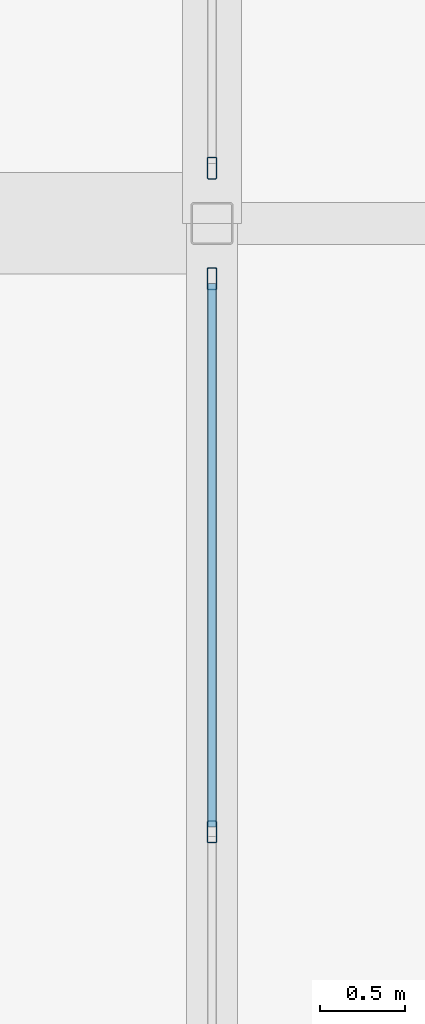
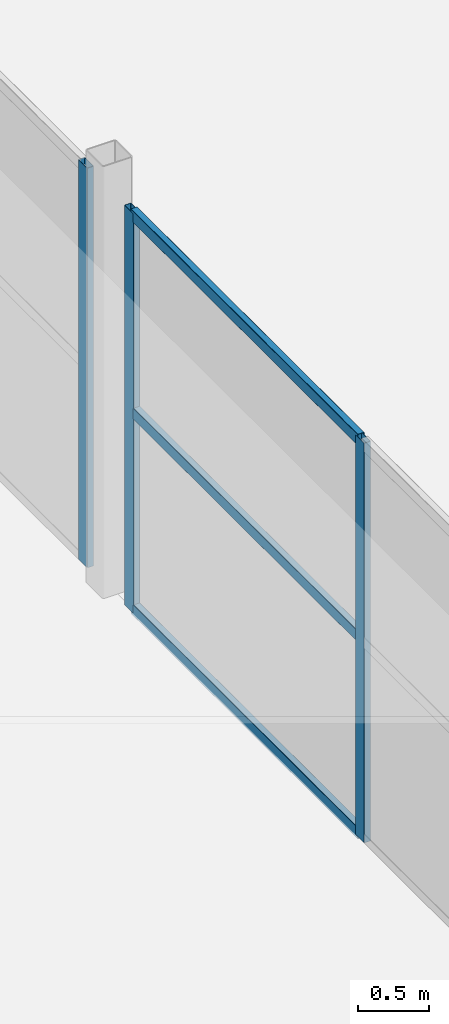
# One storey, part 160 of 239: 6 members, 2 elements without a shape of their own.
"""IFC4 building model written with IfcOpenShell, lengths in metres."""

from ifc_helpers import new_model, si_unit, direction, frame, origin, origin_2d, place, context, subcontext, project, spatial, hollow_rectangle, extrude, material, layer, layer_set, material_profile, profile_set, type_object, element, aggregate, save


model = new_model("IFC4")

# Units and contexts
model_context = context("Model", 3, precision=1e-05, world=origin(), true_north=direction((0.0, 1.0)))
body_context = subcontext(model_context, "Body", "Model", "MODEL_VIEW")
ifc_project = project(units=[si_unit("LENGTHUNIT", "METRE"), si_unit("AREAUNIT", "SQUARE_METRE"), si_unit("VOLUMEUNIT", "CUBIC_METRE"), si_unit("PLANEANGLEUNIT", "RADIAN"), si_unit("MASSUNIT", "GRAM", prefix="KILO")], contexts=[model_context])

# Site, building, storey
site_placement = place(None, origin())
site = spatial("IfcSite", under=ifc_project, at=site_placement, CompositionType="ELEMENT")
building_placement = place(site_placement, origin())
building = spatial("IfcBuilding", under=site, at=building_placement, Name="Dunvalen Ferry Terminal", CompositionType="ELEMENT")
storey_placement = place(building_placement, frame((0.0, 0.0, 9.840087890625)))
storey = spatial("IfcBuildingStorey", under=building, at=storey_placement, Name="L02", CompositionType="ELEMENT", Elevation=9.840087890625)

# Curtain wall, members
ifc_material_1 = material(Name="Anodised marine aluminium and solar-control glazing", Category="aluminium")
ifc_layer = layer(ifc_material_1, 0.159912109375, Name="Anodised marine aluminium and solar-control glazing")
ifc_layer_set = layer_set([ifc_layer], Name="Anodised marine aluminium and solar-control glazing")
curtain_wall_type = type_object("IfcCurtainWallType", Name="ENV-CW-SYS-10", PredefinedType="NOTDEFINED", material=ifc_layer_set)
curtain_wall_1_placement = place(storey_placement, origin())
curtain_wall_1 = element("IfcCurtainWall", 1, at=curtain_wall_1_placement, inside=storey, type_object=curtain_wall_type, Name="L02 Curtain Wall CW-PAV-E-1", PredefinedType="NOTDEFINED")
ifc_material_2 = material(Name="Anodised marine aluminium EN AW-6063 T6", Category="aluminium")
ifc_material_profile_1 = material_profile(ifc_material_2, hollow_rectangle(XDim=0.054931640625, YDim=0.1298828125, WallThickness=0.003173828125, InnerFilletRadius=0.003173828125, OuterFilletRadius=0.00634765625, at=origin_2d()), Name="Anodised marine aluminium EN AW-6063 T6")
ifc_profile_set_1 = profile_set([ifc_material_profile_1], Name="Anodised marine aluminium EN AW-6063 T6")
member_type_1 = type_object("IfcMemberType", Name="ENV-CW-MUL-4", PredefinedType="MULLION", material=ifc_profile_set_1)
member_1_placement = place(storey_placement, frame((156.0, 18.0, 0.0), z_axis=(0.0, 0.0, 1.0), x_axis=(-1.0, 0.0, 0.0)))
member_1 = element("IfcMember", 2, at=member_1_placement, type_object=member_type_1, Name="CW-10 mullion 2", PredefinedType="MULLION", context=body_context, shape_type="SweptSolid", body=[
    extrude(hollow_rectangle(XDim=0.054931640625, YDim=0.1298828125, WallThickness=0.003173828125, InnerFilletRadius=0.003173828125, OuterFilletRadius=0.00634765625, at=origin_2d()), origin(), (0.0, 0.0, 1.0), 3.4599609375),
])
member_2_placement = place(storey_placement, frame((156.0, 21.2724609375, 0.0), z_axis=(0.0, 0.0, 1.0), x_axis=(-1.0, 0.0, 0.0)))
member_2 = element("IfcMember", 3, at=member_2_placement, type_object=member_type_1, Name="CW-10 mullion 3", PredefinedType="MULLION", context=body_context, shape_type="SweptSolid", body=[
    extrude(hollow_rectangle(XDim=0.054931640625, YDim=0.1298828125, WallThickness=0.003173828125, InnerFilletRadius=0.003173828125, OuterFilletRadius=0.00634765625, at=origin_2d()), origin(), (0.0, 0.0, 1.0), 3.4599609375),
])

# Curtain wall, member
curtain_wall_2_placement = place(storey_placement, origin())
curtain_wall_2 = element("IfcCurtainWall", 4, at=curtain_wall_2_placement, inside=storey, type_object=curtain_wall_type, Name="L02 Curtain Wall CW-PAV-E-2", PredefinedType="NOTDEFINED")
member_3_placement = place(storey_placement, frame((156.0, 21.927490234375, 0.0), z_axis=(0.0, 0.0, 1.0), x_axis=(-1.0, 0.0, 0.0)))
member_3 = element("IfcMember", 5, at=member_3_placement, type_object=member_type_1, Name="CW-10 mullion 1", PredefinedType="MULLION", context=body_context, shape_type="SweptSolid", body=[
    extrude(hollow_rectangle(XDim=0.054931640625, YDim=0.1298828125, WallThickness=0.003173828125, InnerFilletRadius=0.003173828125, OuterFilletRadius=0.00634765625, at=origin_2d()), origin(), (0.0, 0.0, 1.0), 3.4599609375),
])
aggregate(curtain_wall_2, [member_3])

# Member
ifc_material_profile_2 = material_profile(ifc_material_2, hollow_rectangle(XDim=0.054931640625, YDim=0.10009765625, WallThickness=0.0029296875, InnerFilletRadius=0.0029296875, OuterFilletRadius=0.006103515625, at=origin_2d()), Name="Anodised marine aluminium EN AW-6063 T6")
ifc_profile_set_2 = profile_set([ifc_material_profile_2], Name="Anodised marine aluminium EN AW-6063 T6")
member_type_2 = type_object("IfcMemberType", Name="ENV-CW-TRN-4", PredefinedType="USERDEFINED", material=ifc_profile_set_2)
member_4_placement = place(storey_placement, frame((156.0, 18.027587890625, 0.02734375), z_axis=(0.0, 1.0, 0.0), x_axis=(-1.0, 0.0, 0.0)))
member_4 = element("IfcMember", 6, at=member_4_placement, type_object=member_type_2, Name="CW-10 transom 2.1", ObjectType="TRANSOM", PredefinedType="USERDEFINED", context=body_context, shape_type="SweptSolid", body=[
    extrude(hollow_rectangle(XDim=0.054931640625, YDim=0.10009765625, WallThickness=0.0029296875, InnerFilletRadius=0.0029296875, OuterFilletRadius=0.006103515625, at=origin_2d()), origin(), (0.0, 0.0, 1.0), 3.217529296875),
])

member_5_placement = place(storey_placement, frame((156.0, 18.027587890625, 1.72998046875), z_axis=(0.0, 1.0, 0.0), x_axis=(-1.0, 0.0, 0.0)))
member_5 = element("IfcMember", 7, at=member_5_placement, type_object=member_type_2, Name="CW-10 transom 2.2", ObjectType="TRANSOM", PredefinedType="USERDEFINED", context=body_context, shape_type="SweptSolid", body=[
    extrude(hollow_rectangle(XDim=0.054931640625, YDim=0.10009765625, WallThickness=0.0029296875, InnerFilletRadius=0.0029296875, OuterFilletRadius=0.006103515625, at=origin_2d()), origin(), (0.0, 0.0, 1.0), 3.217529296875),
])

member_6_placement = place(storey_placement, frame((156.0, 18.027587890625, 3.432373046875), z_axis=(0.0, 1.0, 0.0), x_axis=(-1.0, 0.0, 0.0)))
member_6 = element("IfcMember", 8, at=member_6_placement, type_object=member_type_2, Name="CW-10 transom 2.3", ObjectType="TRANSOM", PredefinedType="USERDEFINED", context=body_context, shape_type="SweptSolid", body=[
    extrude(hollow_rectangle(XDim=0.054931640625, YDim=0.10009765625, WallThickness=0.0029296875, InnerFilletRadius=0.0029296875, OuterFilletRadius=0.006103515625, at=origin_2d()), origin(), (0.0, 0.0, 1.0), 3.217529296875),
])

aggregate(curtain_wall_1, [member_1, member_2, member_4, member_5, member_6])

save(model, "model.ifc")
